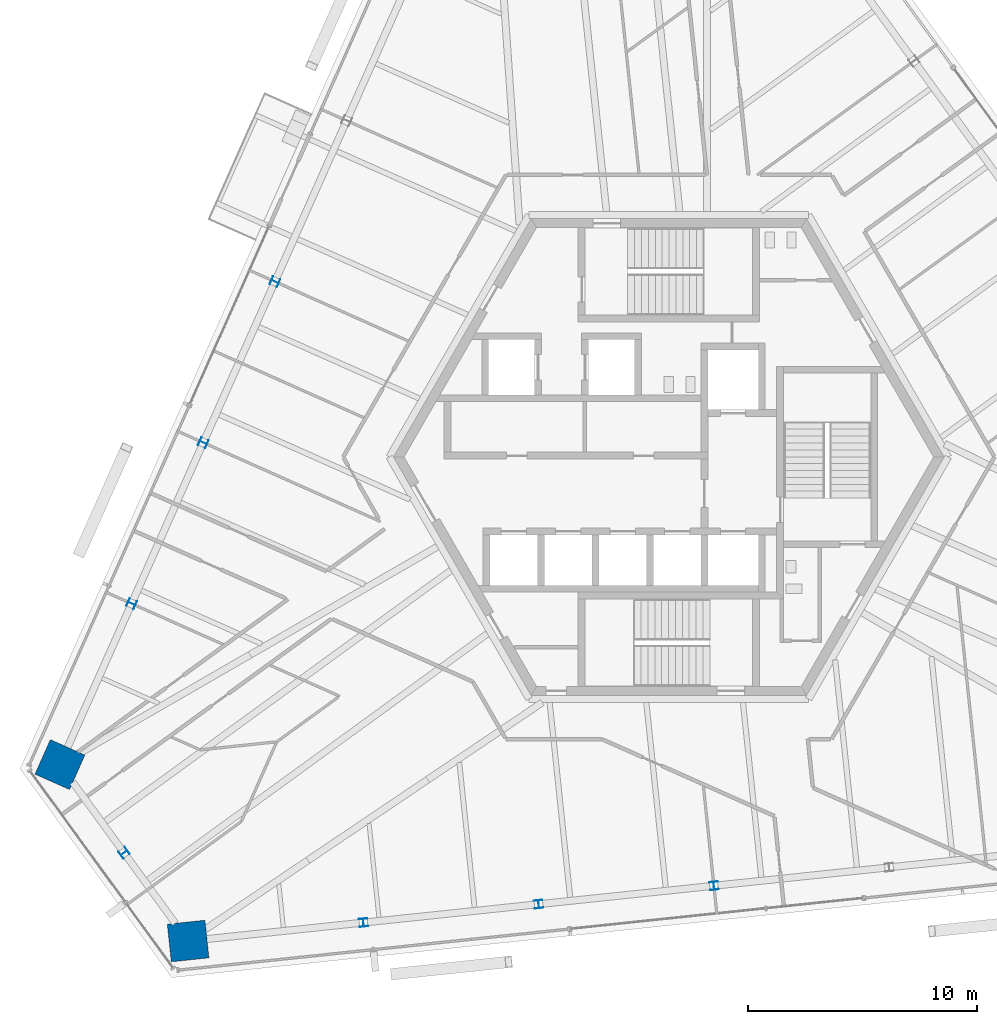
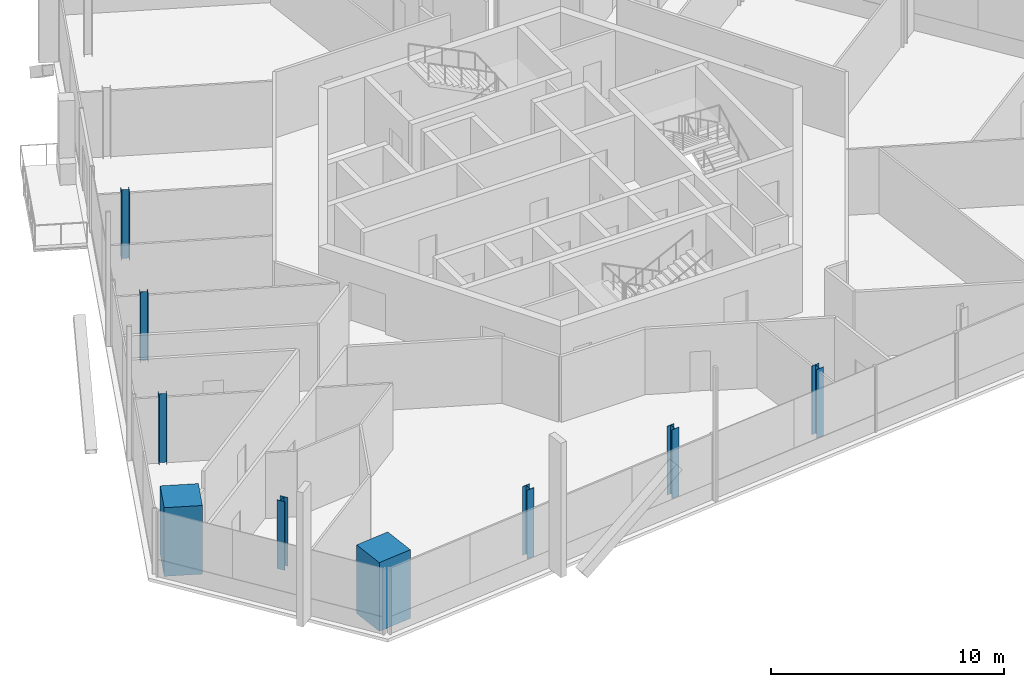
# One storey, part 1 of 20: 9 columns.
"""IFC4 building model written with IfcOpenShell, lengths in metres."""

from ifc_helpers import new_model, si_unit, direction, frame, origin, origin_2d, place, context, subcontext, project, spatial, rectangle, i_section, extrude, source, transform, mapped, material, material_profile, profile_set, type_object, element, save


model = new_model("IFC4")

# Units and contexts
model_context = context("Model", 3, precision=1e-05, world=origin(), true_north=direction((0.0, 1.0)))
body_context = subcontext(model_context, "Body", "Model", "MODEL_VIEW")
ifc_project = project(units=[si_unit("LENGTHUNIT", "METRE"), si_unit("AREAUNIT", "SQUARE_METRE"), si_unit("VOLUMEUNIT", "CUBIC_METRE"), si_unit("PLANEANGLEUNIT", "RADIAN"), si_unit("MASSUNIT", "GRAM", prefix="KILO")], contexts=[model_context])

# Site, building, storey
site_placement = place(None, origin())
site = spatial("IfcSite", under=ifc_project, at=site_placement, CompositionType="ELEMENT")
building_placement = place(site_placement, origin())
building = spatial("IfcBuilding", under=site, at=building_placement, Name="Triune Harvest Tower", CompositionType="ELEMENT")
storey_placement = place(building_placement, frame((0.0, 0.0, 226.89990234375)))
storey = spatial("IfcBuildingStorey", under=building, at=storey_placement, Name="L59", CompositionType="ELEMENT", Elevation=226.89990234375)

# Columns
ifc_material_1 = material(Name="Steel ASTM A992 Gr 50", Category="steel")
ifc_material_profile_1 = material_profile(ifc_material_1, i_section(OverallWidth=0.368408203125, OverallDepth=0.355712890625, WebThickness=0.01123046875, FlangeThickness=0.01806640625, at=origin_2d()), Name="W14x90")
ifc_profile_set_1 = profile_set([ifc_material_profile_1], Name="Steel ASTM A992 Gr 50")
column_type_1 = type_object("IfcColumnType", Name="PC-6 Perimeter column W14x90", PredefinedType="COLUMN", material=ifc_profile_set_1)
shared_shape_1 = source(origin(), body_context, "Body", "SweptSolid", [
    extrude(i_section(OverallWidth=0.368408203125, OverallDepth=0.355712890625, WebThickness=0.01123046875, FlangeThickness=0.01806640625, at=origin_2d()), origin(), (0.0, 0.0, 1.0), 3.599853515625),
])
column_placement = place(storey_placement, frame((-23.7412109375, -17.2490234375, 1.2001953125), z_axis=(0.0, 0.0, 1.0), x_axis=(0.587785252292, -0.809016994375, 0.0)))
element("IfcColumn", 1, at=column_placement, inside=storey, type_object=column_type_1, Name="col/L59/P15", PredefinedType="COLUMN", context=body_context, shape_type="MappedRepresentation", body=[
    mapped(shared_shape_1, transform((0.0, 0.0, 0.0), scale=1.0)),
])
shared_shape_2 = source(origin(), body_context, "Body", "SweptSolid", [
    extrude(i_section(OverallWidth=0.368408203125, OverallDepth=0.355712890625, WebThickness=0.01123046875, FlangeThickness=0.01806640625, at=origin_2d()), origin(), (0.0, 0.0, 1.0), 3.60009765625),
])
for number, where, z_axis, x_axis, name in (
    (2, (-17.163818359375, 7.641845703125, 0.0), (0.0, 0.0, 1.0), (-0.406738237513, -0.913544747752, 0.0), "col/L59/P11"),
    (3, (-20.287109375, 0.626220703125, 0.0), (0.0, 0.0, 1.0), (-0.406738237513, -0.913544747752, 0.0), "col/L59/P12"),
    (4, (-23.41064453125, -6.389404296875, 0.0), (0.0, 0.0, 1.0), (-0.406738237513, -0.913544747752, 0.0), "col/L59/P13"),
    (5, (-13.310791015625, -20.29052734375, 0.0), (0.0, 0.0, 1.0), (0.99452171293, 0.104530199036, 0.0), "col/L59/P17"),
    (6, (-5.673583984375, -19.48779296875, 0.0), (0.0, 0.0, 1.0), (0.99452171293, 0.104530199036, 0.0), "col/L59/P18"),
    (7, (1.9638671875, -18.68505859375, 0.0), (0.0, 0.0, 1.0), (0.99452171293, 0.104530199036, 0.0), "col/L59/P19"),
):
    element("IfcColumn", number, at=place(storey_placement, frame(where, z_axis=z_axis, x_axis=x_axis)), inside=storey, type_object=column_type_1, Name=name, PredefinedType="COLUMN", context=body_context, shape_type="MappedRepresentation", body=[
        mapped(shared_shape_2, transform((0.0, 0.0, 0.0), scale=1.0)),
    ])
ifc_material_2 = material(Name="Concrete 70 MPa", Category="concrete")
ifc_material_profile_2 = material_profile(ifc_material_2, rectangle(XDim=1.64990234375, YDim=1.64990234375, at=origin_2d()), Name="Composite 1650x1650")
ifc_profile_set_2 = profile_set([ifc_material_profile_2], Name="Concrete 70 MPa")
column_type_2 = type_object("IfcColumnType", Name="MC-6 Mega column Composite 1650x1650", PredefinedType="COLUMN", material=ifc_profile_set_2)
shared_shape_3 = source(origin(), body_context, "Body", "SweptSolid", [
    extrude(rectangle(XDim=1.64990234375, YDim=1.64990234375, at=origin_2d()), origin(), (0.0, 0.0, 1.0), 3.60009765625),
])
for number, where, z_axis, x_axis, name in (
    (8, (-26.5341796875, -13.40478515625, 0.0), (0.0, 0.0, 1.0), (-0.406738237513, -0.913544747752, 0.0), "col/L59/M14"),
    (9, (-20.9482421875, -21.09326171875, 0.0), (0.0, 0.0, 1.0), (0.99452171293, 0.104530199036, 0.0), "col/L59/M16"),
):
    element("IfcColumn", number, at=place(storey_placement, frame(where, z_axis=z_axis, x_axis=x_axis)), inside=storey, type_object=column_type_2, Name=name, PredefinedType="COLUMN", context=body_context, shape_type="MappedRepresentation", body=[
        mapped(shared_shape_3, transform((0.0, 0.0, 0.0), scale=1.0)),
    ])

save(model, "model.ifc")
